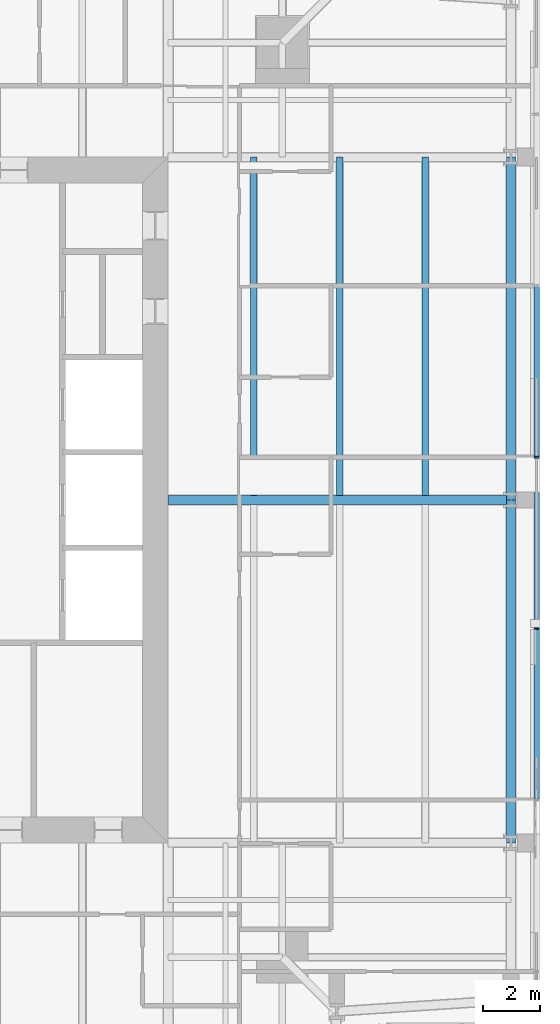
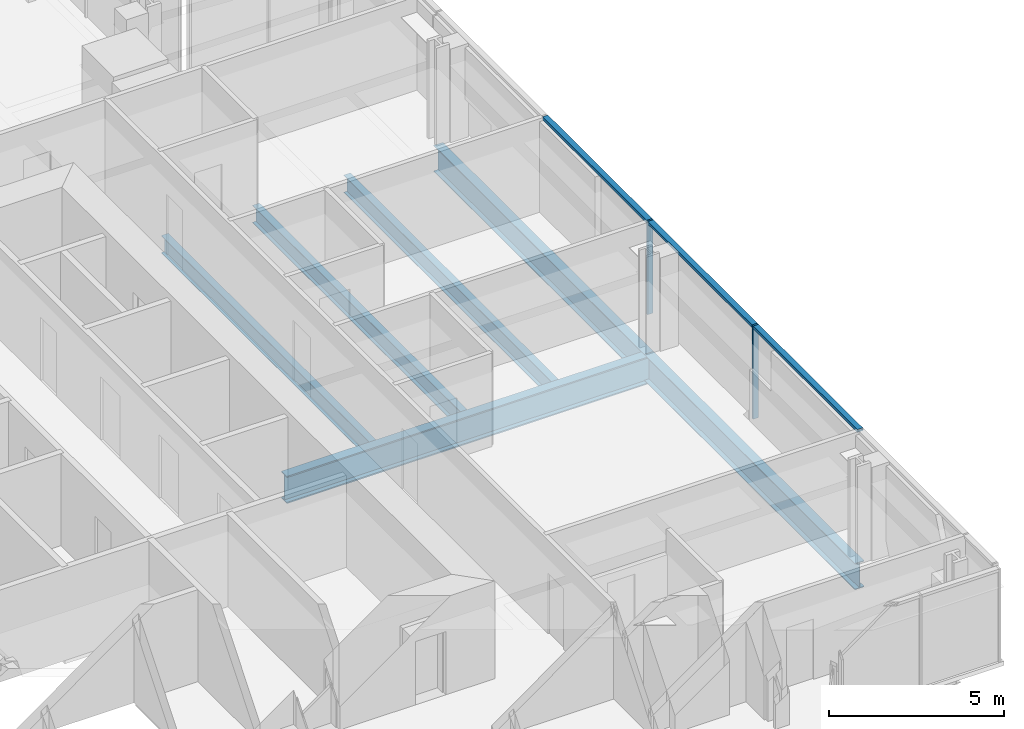
# One storey, part 6 of 18: 6 beams, 5 members, 1 element without a shape of its own.
"""IFC4 building model written with IfcOpenShell, lengths in metres."""

from ifc_helpers import new_model, si_unit, direction, frame, origin, origin_2d, place, context, subcontext, project, spatial, rectangle, i_section, extrude, material, material_profile, profile_set, type_object, element, aggregate, save


model = new_model("IFC4")

# Units and contexts
model_context = context("Model", 3, precision=1e-05, world=origin(), true_north=direction((0.0, 1.0)))
body_context = subcontext(model_context, "Body", "Model", "MODEL_VIEW")
ifc_project = project(units=[si_unit("LENGTHUNIT", "METRE"), si_unit("AREAUNIT", "SQUARE_METRE"), si_unit("VOLUMEUNIT", "CUBIC_METRE"), si_unit("PLANEANGLEUNIT", "RADIAN"), si_unit("MASSUNIT", "GRAM", prefix="KILO")], contexts=[model_context])

# Site, building, storey
site_placement = place(None, origin())
site = spatial("IfcSite", under=ifc_project, at=site_placement, CompositionType="ELEMENT")
building_placement = place(site_placement, origin())
building = spatial("IfcBuilding", under=site, at=building_placement, Name="Fenwick Lantern Interchange", CompositionType="ELEMENT")
storey_placement = place(building_placement, frame((0.0, 0.0, 290.0)))
storey = spatial("IfcBuildingStorey", under=building, at=storey_placement, Name="L70", CompositionType="ELEMENT", Elevation=290.0)

# Beams
ifc_material_1 = material(Name="Steel ASTM A992 Grade 50", Category="steel")
ifc_material_profile_1 = material_profile(ifc_material_1, i_section(OverallWidth=0.3046875, OverallDepth=0.911865234375, WebThickness=0.015869140625, FlangeThickness=0.02392578125, at=origin_2d()), Name="W36X150")
ifc_profile_set_1 = profile_set([ifc_material_profile_1], Name="Steel ASTM A992 Grade 50")
beam_type_1 = type_object("IfcBeamType", Name="EDGE BEAM W36X150", PredefinedType="SPANDREL", material=ifc_profile_set_1)
for number, where, z_axis, x_axis, name in (
    (1, (49.0, 13.0, -0.60595703125), (0.0, 1.0, 0.0), (-1.0, 0.0, 0.0), "L70/FR/E/EB2"),
    (2, (49.0, 25.0, -0.60595703125), (0.0, 1.0, 0.0), (-1.0, 0.0, 0.0), "L70/FR/E/EB3"),
):
    element("IfcBeam", number, at=place(storey_placement, frame(where, z_axis=z_axis, x_axis=x_axis)), inside=storey, type_object=beam_type_1, Name=name, PredefinedType="SPANDREL", context=body_context, shape_type="SweptSolid", body=[
        extrude(i_section(OverallWidth=0.3046875, OverallDepth=0.911865234375, WebThickness=0.015869140625, FlangeThickness=0.02392578125, at=origin_2d()), origin(), (0.0, 0.0, 1.0), 12.0),
    ])
ifc_material_profile_2 = material_profile(ifc_material_1, i_section(OverallWidth=0.22900390625, OverallDepth=0.612060546875, WebThickness=0.011962890625, FlangeThickness=0.01953125, at=origin_2d()), Name="W24X84")
ifc_profile_set_2 = profile_set([ifc_material_profile_2], Name="Steel ASTM A992 Grade 50")
beam_type_2 = type_object("IfcBeamType", Name="FLOOR BEAM W24X84", PredefinedType="BEAM", material=ifc_profile_set_2)
for number, where, z_axis, x_axis, name in (
    (3, (46.0, 25.155029296875, -0.4560546875), (0.0, 1.0, 0.0), (-1.0, 0.0, 0.0), "L70/FR/E/B04"),
    (4, (43.0, 25.155029296875, -0.4560546875), (0.0, 1.0, 0.0), (-1.0, 0.0, 0.0), "L70/FR/E/B05"),
    (5, (40.0, 25.155029296875, -0.4560546875), (0.0, 1.0, 0.0), (-1.0, 0.0, 0.0), "L70/FR/E/B06"),
):
    element("IfcBeam", number, at=place(storey_placement, frame(where, z_axis=z_axis, x_axis=x_axis)), inside=storey, type_object=beam_type_2, Name=name, PredefinedType="BEAM", context=body_context, shape_type="SweptSolid", body=[
        extrude(i_section(OverallWidth=0.22900390625, OverallDepth=0.612060546875, WebThickness=0.011962890625, FlangeThickness=0.01953125, at=origin_2d()), origin(), (0.0, 0.0, 1.0), 11.844970703125),
    ])

# Curtain wall, members
ifc_material_2 = material(Name="Aluminium curtain wall frame", Category="aluminium")
curtain_wall_type = type_object("IfcCurtainWallType", Name="HOTEL CURTAIN WALL", PredefinedType="USERDEFINED", material=ifc_material_2)
curtain_wall_placement = place(storey_placement, origin())
curtain_wall = element("IfcCurtainWall", 6, at=curtain_wall_placement, inside=storey, type_object=curtain_wall_type, Name="Hotel curtain wall 05", ObjectType="HOTEL CURTAIN WALL", PredefinedType="USERDEFINED")
ifc_material_3 = material(Name="Aluminium extrusion", Category="aluminium")
ifc_material_profile_3 = material_profile(ifc_material_3, rectangle(XDim=0.179931640625, YDim=0.06005859375, at=origin_2d()), Name="HOTEL CURTAIN WALL MULLION 60 X 180")
ifc_profile_set_3 = profile_set([ifc_material_profile_3], Name="Aluminium extrusion")
member_type_1 = type_object("IfcMemberType", Name="HOTEL CURTAIN WALL MULLION 60 X 180", PredefinedType="MULLION", material=ifc_profile_set_3)
member_1_placement = place(storey_placement, frame((49.89990234375, 20.5, 0.0), z_axis=(0.0, 0.0, 1.0), x_axis=(-1.0, 0.0, 0.0)))
member_1 = element("IfcMember", 7, at=member_1_placement, type_object=member_type_1, Name="L70/CW/05/M03", PredefinedType="MULLION", context=body_context, shape_type="SweptSolid", body=[
    extrude(rectangle(XDim=0.179931640625, YDim=0.06005859375, at=origin_2d()), origin(), (0.0, 0.0, 1.0), 3.25),
])
member_2_placement = place(storey_placement, frame((49.89990234375, 26.5, 0.0), z_axis=(0.0, 0.0, 1.0), x_axis=(-1.0, 0.0, 0.0)))
member_2 = element("IfcMember", 8, at=member_2_placement, type_object=member_type_1, Name="L70/CW/05/M04", PredefinedType="MULLION", context=body_context, shape_type="SweptSolid", body=[
    extrude(rectangle(XDim=0.179931640625, YDim=0.06005859375, at=origin_2d()), origin(), (0.0, 0.0, 1.0), 3.25),
])
ifc_material_profile_4 = material_profile(ifc_material_3, rectangle(XDim=0.179931640625, YDim=0.10009765625, at=origin_2d()), Name="HOTEL CURTAIN WALL TRANSOM 100 X 180")
ifc_profile_set_4 = profile_set([ifc_material_profile_4], Name="Aluminium extrusion")
member_type_2 = type_object("IfcMemberType", Name="HOTEL CURTAIN WALL TRANSOM 100 X 180", PredefinedType="MULLION", material=ifc_profile_set_4)
member_3_placement = place(storey_placement, frame((49.89990234375, 14.530029296875, 3.199951171875), z_axis=(0.0, 1.0, 0.0), x_axis=(-1.0, 0.0, 0.0)))
member_3 = element("IfcMember", 9, at=member_3_placement, type_object=member_type_2, Name="L70/CW/05/T02", PredefinedType="MULLION", context=body_context, shape_type="SweptSolid", body=[
    extrude(rectangle(XDim=0.179931640625, YDim=0.10009765625, at=origin_2d()), origin(), (0.0, 0.0, 1.0), 5.93994140625),
])
member_4_placement = place(storey_placement, frame((49.89990234375, 20.530029296875, 3.199951171875), z_axis=(0.0, 1.0, 0.0), x_axis=(-1.0, 0.0, 0.0)))
member_4 = element("IfcMember", 10, at=member_4_placement, type_object=member_type_2, Name="L70/CW/05/T03", PredefinedType="MULLION", context=body_context, shape_type="SweptSolid", body=[
    extrude(rectangle(XDim=0.179931640625, YDim=0.10009765625, at=origin_2d()), origin(), (0.0, 0.0, 1.0), 5.93994140625),
])
member_5_placement = place(storey_placement, frame((49.89990234375, 26.530029296875, 3.199951171875), z_axis=(0.0, 1.0, 0.0), x_axis=(-1.0, 0.0, 0.0)))
member_5 = element("IfcMember", 11, at=member_5_placement, type_object=member_type_2, Name="L70/CW/05/T04", PredefinedType="MULLION", context=body_context, shape_type="SweptSolid", body=[
    extrude(rectangle(XDim=0.179931640625, YDim=0.10009765625, at=origin_2d()), origin(), (0.0, 0.0, 1.0), 5.93994140625),
])
aggregate(curtain_wall, [member_1, member_2, member_3, member_4, member_5])

# Beam
ifc_material_profile_5 = material_profile(ifc_material_1, i_section(OverallWidth=0.309814453125, OverallDepth=0.949951171875, WebThickness=0.0244140625, FlangeThickness=0.0439453125, at=origin_2d()), Name="W36X256")
ifc_profile_set_5 = profile_set([ifc_material_profile_5], Name="Steel ASTM A992 Grade 50")
beam_type_3 = type_object("IfcBeamType", Name="MOMENT-CONNECTED GIRDER W36X256", PredefinedType="BEAM", material=ifc_profile_set_5)
beam_placement = place(storey_placement, frame((49.0, 25.0, -0.625), z_axis=(-1.0, 0.0, 0.0), x_axis=(0.0, -1.0, 0.0)))
element("IfcBeam", 12, at=beam_placement, inside=storey, type_object=beam_type_3, Name="L70/FR/E/R02", PredefinedType="BEAM", context=body_context, shape_type="SweptSolid", body=[
    extrude(i_section(OverallWidth=0.309814453125, OverallDepth=0.949951171875, WebThickness=0.0244140625, FlangeThickness=0.0439453125, at=origin_2d()), origin(), (0.0, 0.0, 1.0), 12.0),
])

save(model, "model.ifc")
